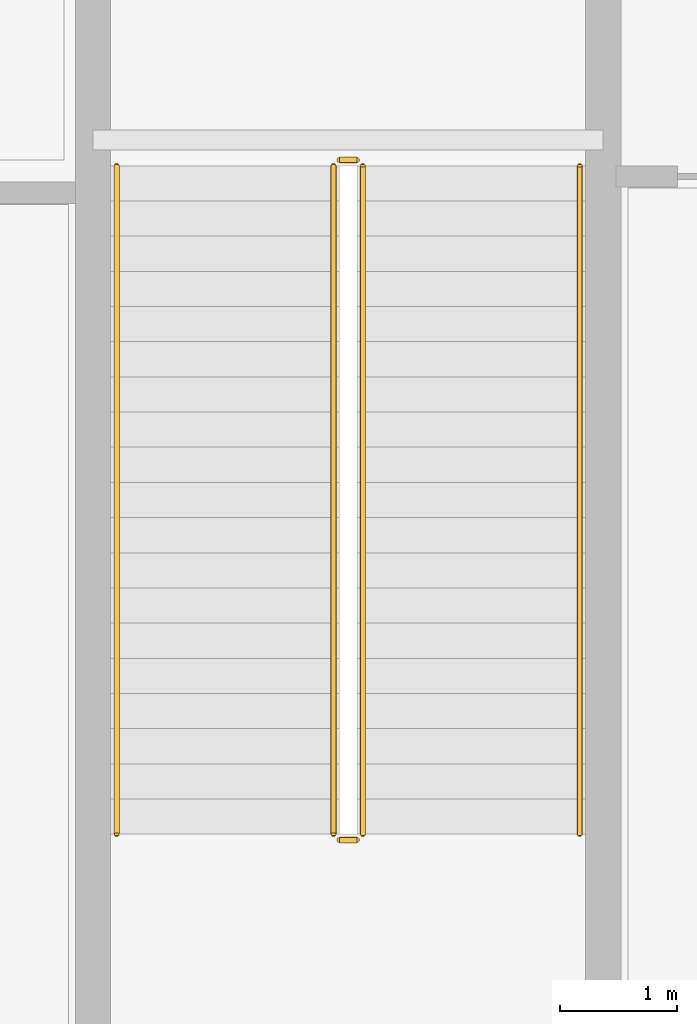
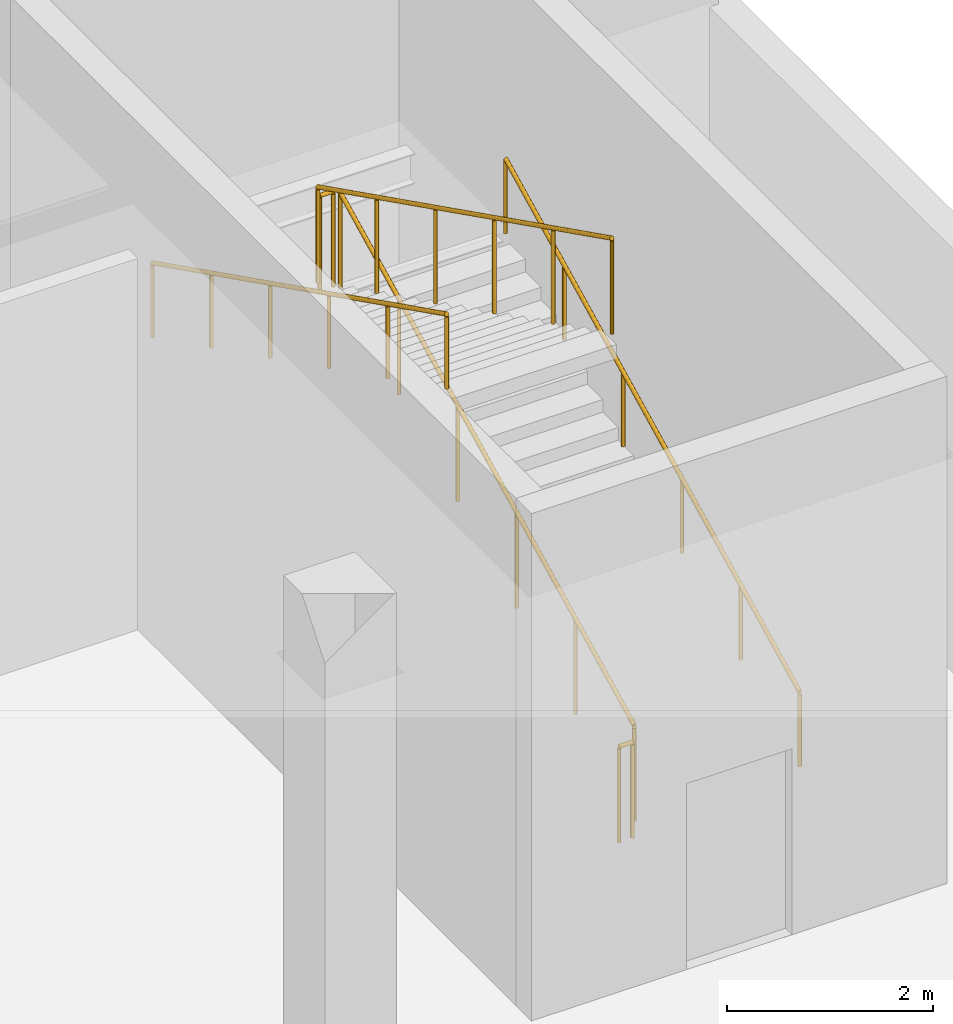
# One storey, part 38 of 38: 6 railings.
"""IFC4 building model written with IfcOpenShell, lengths in metres."""

import ifcopenshell
import ifcopenshell.guid

model = None  # the IFC model being written
_history = None  # IfcOwnerHistory: only IFC2X3 demands one
_inside = {}  # id of a spatial element -> (the spatial element, [elements in it])
_under = {}  # id of a project, library or spatial element -> (it, [spatial elements below it])
_declared = {}  # id of a project -> (the project, [libraries it declares])
_typed = {}  # id of a type object -> (the type object, [elements of that type])
_made_of = {}  # id of a material, layer set ... -> (it, [elements and type objects made of it])


def new_model(schema):
    """Start an empty IFC model of exactly this schema.

    Asked for "IFC4X3", IfcOpenShell would pick the latest addendum, in which some entities
    have other attributes; the version numbers below select the first issue.
    IFC2X3 requires an IfcOwnerHistory on every rooted entity: one is made here for all.
    """
    global model, _history
    if schema == "IFC4X3":
        model = ifcopenshell.file(schema_version=(4, 3, 0, 0))
    else:
        model = ifcopenshell.file(schema=schema)
    _inside.clear()
    _under.clear()
    _declared.clear()
    _typed.clear()
    _made_of.clear()
    _history = None
    if model.schema == "IFC2X3":
        org = make("IfcOrganization", Name="unknown")
        user = make(
            "IfcPersonAndOrganization",
            ThePerson=make("IfcPerson", FamilyName="unknown"),
            TheOrganization=org,
        )
        app = make(
            "IfcApplication",
            ApplicationDeveloper=org,
            Version="unknown",
            ApplicationFullName="unknown",
            ApplicationIdentifier="unknown",
        )
        _history = make(
            "IfcOwnerHistory",
            OwningUser=user,
            OwningApplication=app,
            ChangeAction="ADDED",
            CreationDate=0,
        )
    return model


def make(cls, **values):
    """One entity of the class cls with the attributes given. An attribute that is None is left unset."""
    return model.create_entity(
        cls, **{name: value for name, value in values.items() if value is not None}
    )


def rooted(cls, **values):
    """An entity with a GlobalId (a new one), such as an element, a storey or a relation."""
    return make(cls, GlobalId=ifcopenshell.guid.new(), OwnerHistory=_history, **values)


def si_unit(unit_type, name, prefix=None):
    """IfcSIUnit, for example si_unit("LENGTHUNIT", "METRE", prefix="MILLI")."""
    return make("IfcSIUnit", UnitType=unit_type, Prefix=prefix, Name=name)


def assignment(units):
    """IfcUnitAssignment: the units of a project."""
    return None if units is None else make("IfcUnitAssignment", Units=units)


def point(xyz):
    """IfcCartesianPoint."""
    return None if xyz is None else make("IfcCartesianPoint", Coordinates=xyz)


def direction(xyz):
    """IfcDirection."""
    return None if xyz is None else make("IfcDirection", DirectionRatios=xyz)


def frame(location, z_axis=None, x_axis=None):
    """IfcAxis2Placement3D, a coordinate frame: its origin and axes. An axis left out is left unset."""
    return make(
        "IfcAxis2Placement3D",
        Location=point(location),
        Axis=direction(z_axis),
        RefDirection=direction(x_axis),
    )


def frame_2d(location, x_axis=None):
    """IfcAxis2Placement2D, a coordinate frame in the plane: its origin and x axis."""
    return make(
        "IfcAxis2Placement2D", Location=point(location), RefDirection=direction(x_axis)
    )


def origin():
    """The frame at (0, 0, 0) with its axes left unset."""
    return frame((0.0, 0.0, 0.0))


def origin_2d():
    """The frame at (0, 0) in the plane with its x axis left unset."""
    return frame_2d((0.0, 0.0))


def place(relative_to, where):
    """IfcLocalPlacement: puts the frame where relative to a parent placement (None: the world)."""
    return make(
        "IfcLocalPlacement", PlacementRelTo=relative_to, RelativePlacement=where
    )


def context(
    kind, dimensions, precision=None, world=None, true_north=None, identifier=None
):
    """IfcGeometricRepresentationContext, for example the 3D "Model" context."""
    return make(
        "IfcGeometricRepresentationContext",
        ContextIdentifier=identifier,
        ContextType=kind,
        CoordinateSpaceDimension=dimensions,
        Precision=precision,
        WorldCoordinateSystem=world,
        TrueNorth=true_north,
    )


def subcontext(parent, identifier, kind, view, scale=None):
    """IfcGeometricRepresentationSubContext, for example "Body" below "Model"."""
    return make(
        "IfcGeometricRepresentationSubContext",
        ContextIdentifier=identifier,
        ContextType=kind,
        ParentContext=parent,
        TargetScale=scale,
        TargetView=view,
    )


def project(units=None, contexts=None):
    """IfcProject with its units and contexts."""
    return rooted(
        "IfcProject",
        Name="project",
        RepresentationContexts=contexts,
        UnitsInContext=assignment(units),
    )


def spatial(cls, under=None, at=None, **own):
    """A site, building, storey or space (cls), placed at a placement, below another one or the project."""
    s = rooted(cls, ObjectPlacement=at, **own)
    if under is not None:
        _under.setdefault(under.id(), (under, []))[1].append(s)
    return s


def profile(cls, at=None, kind="AREA", **sizes):
    """A parametric profile (cls). Its sizes go by their IFC names, for example OverallWidth=200.0."""
    return make(cls, ProfileType=kind, Position=at, **sizes)


def circle(**sizes):
    """IfcCircleProfileDef."""
    return profile("IfcCircleProfileDef", **sizes)


def extrude(swept, where, along, depth):
    """IfcExtrudedAreaSolid: the profile swept, set in the frame where, extruded along a direction by depth."""
    return make(
        "IfcExtrudedAreaSolid",
        SweptArea=swept,
        Position=where,
        ExtrudedDirection=direction(along),
        Depth=depth,
    )


def shape(context_of_items, identifier, shape_type, items):
    """IfcShapeRepresentation: the items that make up one representation, for example the "Body"."""
    return make(
        "IfcShapeRepresentation",
        ContextOfItems=context_of_items,
        RepresentationIdentifier=identifier,
        RepresentationType=shape_type,
        Items=items,
    )


def material(Name=None, Category=None):
    """IfcMaterial."""
    return make("IfcMaterial", Name=Name, Category=Category)


def made_of(thing, what):
    """Note that an element or type object is made of a material, layer set ...; save() writes the relation."""
    if what is not None:
        _made_of.setdefault(what.id(), (what, []))[1].append(thing)
    return thing


def type_object(cls, material=None, **own):
    """A type object (cls), such as IfcWallType, which elements share."""
    return made_of(rooted(cls, **own), material)


def element(
    cls,
    number,
    at=None,
    inside=None,
    cuts=None,
    type_object=None,
    material=None,
    context=None,
    identifier="Body",
    shape_type=None,
    held_by="IfcProductDefinitionShape",
    body=None,
    shapes=None,
    **own,
):
    """One element of the class cls, such as IfcWall. Its Tag is "e" and its number.

    at: its placement. inside: the storey or other place that contains it. cuts: it is an
    opening in that element (IfcRelVoidsElement). A single representation is given by context,
    identifier, shape_type and body (its items); several are given by shapes. held_by: the class
    of the entity that holds the representations. save() writes the other relations.
    """
    e = rooted(cls, Tag="e%d" % number, ObjectPlacement=at, **own)
    if body is not None:
        shapes = [shape(context, identifier, shape_type, body)]
    if shapes is not None:
        e.Representation = make(held_by, Representations=shapes)
    if inside is not None:
        _inside.setdefault(inside.id(), (inside, []))[1].append(e)
    if cuts is not None:
        rooted(
            "IfcRelVoidsElement", RelatingBuildingElement=cuts, RelatedOpeningElement=e
        )
    if type_object is not None:
        _typed.setdefault(type_object.id(), (type_object, []))[1].append(e)
    return made_of(e, material)


def aggregate(whole, parts):
    """IfcRelAggregates: a whole, such as a stair, and the parts it consists of."""
    return rooted("IfcRelAggregates", RelatingObject=whole, RelatedObjects=parts)


def save(model, path):
    """Write the relations noted so far, then the file.

    IfcRelAggregates (storeys below a building ...), IfcRelContainedInSpatialStructure (elements
    in a storey), IfcRelDefinesByType, IfcRelAssociatesMaterial and IfcRelDeclares: one each for
    every whole, place, type object, material and project.
    """
    for whole, parts in _under.values():
        aggregate(whole, parts)
    for where, things in _inside.values():
        rooted(
            "IfcRelContainedInSpatialStructure",
            RelatedElements=things,
            RelatingStructure=where,
        )
    for kind, things in _typed.values():
        rooted("IfcRelDefinesByType", RelatedObjects=things, RelatingType=kind)
    for what, things in _made_of.values():
        rooted("IfcRelAssociatesMaterial", RelatedObjects=things, RelatingMaterial=what)
    for by, libraries in _declared.values():
        rooted("IfcRelDeclares", RelatingContext=by, RelatedDefinitions=libraries)
    model.write(path)


model = new_model("IFC4")

# Units and contexts
model_context = context("Model", 3, precision=1e-05, world=origin(), true_north=direction((0.0, 1.0)))
body_context = subcontext(model_context, "Body", "Model", "MODEL_VIEW")
ifc_project = project(units=[si_unit("LENGTHUNIT", "METRE"), si_unit("AREAUNIT", "SQUARE_METRE"), si_unit("VOLUMEUNIT", "CUBIC_METRE"), si_unit("PLANEANGLEUNIT", "RADIAN"), si_unit("MASSUNIT", "GRAM", prefix="KILO")], contexts=[model_context])

# Site, building, storey
site_placement = place(None, origin())
site = spatial("IfcSite", under=ifc_project, at=site_placement, CompositionType="ELEMENT")
building_placement = place(site_placement, origin())
building = spatial("IfcBuilding", under=site, at=building_placement, Name="Punatoya Terracotta Tower", CompositionType="ELEMENT")
storey_placement = place(building_placement, frame((0.0, 0.0, 22.199951171875)))
storey = spatial("IfcBuildingStorey", under=building, at=storey_placement, Name="L04", CompositionType="ELEMENT", Elevation=22.199951171875)

# Railings
ifc_material = material(Name="Steel S355", Category="steel")
railing_type_1 = type_object("IfcRailingType", Name="RLG-GRD-1150", PredefinedType="GUARDRAIL", material=ifc_material)
railing_1_placement = place(storey_placement, frame((32.64990234375, -6.85009765625, 0.150146484375)))
element("IfcRailing", 1, at=railing_1_placement, inside=storey, type_object=railing_type_1, Name="L04 ST-P2 stair guard 1", PredefinedType="GUARDRAIL", context=body_context, shape_type="SweptSolid", body=[
    extrude(circle(Radius=0.02392578125, at=origin_2d()), frame((0.0, 0.0, 1.1259765625), z_axis=(0.0, 0.894442514143, 0.447182947901), x_axis=(-1.0, 0.0, 0.0)), (0.0, 0.0, 1.0), 6.372802734375),
    extrude(circle(Radius=0.02099609375, at=origin_2d()), origin(), (0.0, 0.0, 1.0), 1.101806640625),
    extrude(circle(Radius=0.02099609375, at=origin_2d()), frame((0.0, 1.14013671875, 0.570068359375)), (0.0, 0.0, 1.0), 1.101806640625),
    extrude(circle(Radius=0.02099609375, at=origin_2d()), frame((0.0, 2.280029296875, 1.139892578125)), (0.0, 0.0, 1.0), 1.101806640625),
    extrude(circle(Radius=0.02099609375, at=origin_2d()), frame((0.0, 3.420166015625, 1.7099609375)), (0.0, 0.0, 1.0), 1.101806640625),
    extrude(circle(Radius=0.02099609375, at=origin_2d()), frame((0.0, 4.56005859375, 2.27978515625)), (0.0, 0.0, 1.0), 1.101806640625),
    extrude(circle(Radius=0.02099609375, at=origin_2d()), frame((0.0, 5.7001953125, 2.849853515625)), (0.0, 0.0, 1.0), 1.101806640625),
])
railing_2_placement = place(storey_placement, frame((32.60009765625, -1.10009765625, 3.0)))
element("IfcRailing", 2, at=railing_2_placement, inside=storey, type_object=railing_type_1, Name="L04 ST-P2 stair guard 2", PredefinedType="GUARDRAIL", context=body_context, shape_type="SweptSolid", body=[
    extrude(circle(Radius=0.02392578125, at=origin_2d()), frame((0.0, 0.0, 1.1259765625), z_axis=(-1.0, 0.0, 0.0), x_axis=(0.0, -1.0, 0.0)), (0.0, 0.0, 1.0), 0.150146484375),
    extrude(circle(Radius=0.02099609375, at=origin_2d()), origin(), (0.0, 0.0, 1.0), 1.101806640625),
    extrude(circle(Radius=0.02099609375, at=origin_2d()), frame((-0.150146484375, 0.0, 0.0)), (0.0, 0.0, 1.0), 1.101806640625),
])
railing_3_placement = place(storey_placement, frame((32.39990234375, -1.14990234375, 3.150146484375)))
element("IfcRailing", 3, at=railing_3_placement, inside=storey, type_object=railing_type_1, Name="L04 ST-P2 stair guard 3", PredefinedType="GUARDRAIL", context=body_context, shape_type="SweptSolid", body=[
    extrude(circle(Radius=0.02392578125, at=origin_2d()), frame((0.0, 0.0, 1.1259765625), z_axis=(0.0, -0.894442514143, 0.447182947901), x_axis=(1.0, 0.0, 0.0)), (0.0, 0.0, 1.0), 6.372802734375),
    extrude(circle(Radius=0.02099609375, at=origin_2d()), origin(), (0.0, 0.0, 1.0), 1.101806640625),
    extrude(circle(Radius=0.02099609375, at=origin_2d()), frame((0.0, -1.14013671875, 0.570068359375)), (0.0, 0.0, 1.0), 1.101806640625),
    extrude(circle(Radius=0.02099609375, at=origin_2d()), frame((0.0, -2.280029296875, 1.139892578125)), (0.0, 0.0, 1.0), 1.101806640625),
    extrude(circle(Radius=0.02099609375, at=origin_2d()), frame((0.0, -3.420166015625, 1.7099609375)), (0.0, 0.0, 1.0), 1.101806640625),
    extrude(circle(Radius=0.02099609375, at=origin_2d()), frame((0.0, -4.56005859375, 2.27978515625)), (0.0, 0.0, 1.0), 1.101806640625),
    extrude(circle(Radius=0.02099609375, at=origin_2d()), frame((0.0, -5.7001953125, 2.849853515625)), (0.0, 0.0, 1.0), 1.101806640625),
])
railing_4_placement = place(storey_placement, frame((32.60009765625, -6.89990234375, 0.0)))
element("IfcRailing", 4, at=railing_4_placement, inside=storey, type_object=railing_type_1, Name="L04 ST-P2 stair guard 4", PredefinedType="GUARDRAIL", context=body_context, shape_type="SweptSolid", body=[
    extrude(circle(Radius=0.02392578125, at=origin_2d()), frame((0.0, 0.0, 1.1259765625), z_axis=(-1.0, 0.0, 0.0), x_axis=(0.0, -1.0, 0.0)), (0.0, 0.0, 1.0), 0.150146484375),
    extrude(circle(Radius=0.02099609375, at=origin_2d()), origin(), (0.0, 0.0, 1.0), 1.101806640625),
    extrude(circle(Radius=0.02099609375, at=origin_2d()), frame((-0.150146484375, 0.0, 0.0)), (0.0, 0.0, 1.0), 1.101806640625),
])
railing_type_2 = type_object("IfcRailingType", Name="RLG-HND-900", PredefinedType="HANDRAIL", material=ifc_material)
railing_5_placement = place(storey_placement, frame((34.5, -6.85009765625, 0.150146484375)))
element("IfcRailing", 5, at=railing_5_placement, inside=storey, type_object=railing_type_2, Name="L04 ST-P2 stair handrail 1", PredefinedType="HANDRAIL", context=body_context, shape_type="SweptSolid", body=[
    extrude(circle(Radius=0.02392578125, at=origin_2d()), frame((0.0, 0.0, 0.8759765625), z_axis=(0.0, 0.894442514143, 0.447182947901), x_axis=(-1.0, 0.0, 0.0)), (0.0, 0.0, 1.0), 6.372802734375),
    extrude(circle(Radius=0.02099609375, at=origin_2d()), origin(), (0.0, 0.0, 1.0), 0.851806640625),
    extrude(circle(Radius=0.02099609375, at=origin_2d()), frame((0.0, 1.14013671875, 0.570068359375)), (0.0, 0.0, 1.0), 0.851806640625),
    extrude(circle(Radius=0.02099609375, at=origin_2d()), frame((0.0, 2.280029296875, 1.139892578125)), (0.0, 0.0, 1.0), 0.851806640625),
    extrude(circle(Radius=0.02099609375, at=origin_2d()), frame((0.0, 3.420166015625, 1.7099609375)), (0.0, 0.0, 1.0), 0.851806640625),
    extrude(circle(Radius=0.02099609375, at=origin_2d()), frame((0.0, 4.56005859375, 2.27978515625)), (0.0, 0.0, 1.0), 0.851806640625),
    extrude(circle(Radius=0.02099609375, at=origin_2d()), frame((0.0, 5.7001953125, 2.849853515625)), (0.0, 0.0, 1.0), 0.851806640625),
])
railing_6_placement = place(storey_placement, frame((30.550048828125, -1.14990234375, 3.150146484375)))
element("IfcRailing", 6, at=railing_6_placement, inside=storey, type_object=railing_type_2, Name="L04 ST-P2 stair handrail 2", PredefinedType="HANDRAIL", context=body_context, shape_type="SweptSolid", body=[
    extrude(circle(Radius=0.02392578125, at=origin_2d()), frame((0.0, 0.0, 0.8759765625), z_axis=(0.0, -0.894442514143, 0.447182947901), x_axis=(1.0, 0.0, 0.0)), (0.0, 0.0, 1.0), 6.372802734375),
    extrude(circle(Radius=0.02099609375, at=origin_2d()), origin(), (0.0, 0.0, 1.0), 0.851806640625),
    extrude(circle(Radius=0.02099609375, at=origin_2d()), frame((0.0, -1.14013671875, 0.570068359375)), (0.0, 0.0, 1.0), 0.851806640625),
    extrude(circle(Radius=0.02099609375, at=origin_2d()), frame((0.0, -2.280029296875, 1.139892578125)), (0.0, 0.0, 1.0), 0.851806640625),
    extrude(circle(Radius=0.02099609375, at=origin_2d()), frame((0.0, -3.420166015625, 1.7099609375)), (0.0, 0.0, 1.0), 0.851806640625),
    extrude(circle(Radius=0.02099609375, at=origin_2d()), frame((0.0, -4.56005859375, 2.27978515625)), (0.0, 0.0, 1.0), 0.851806640625),
    extrude(circle(Radius=0.02099609375, at=origin_2d()), frame((0.0, -5.7001953125, 2.849853515625)), (0.0, 0.0, 1.0), 0.851806640625),
])

save(model, "model.ifc")
